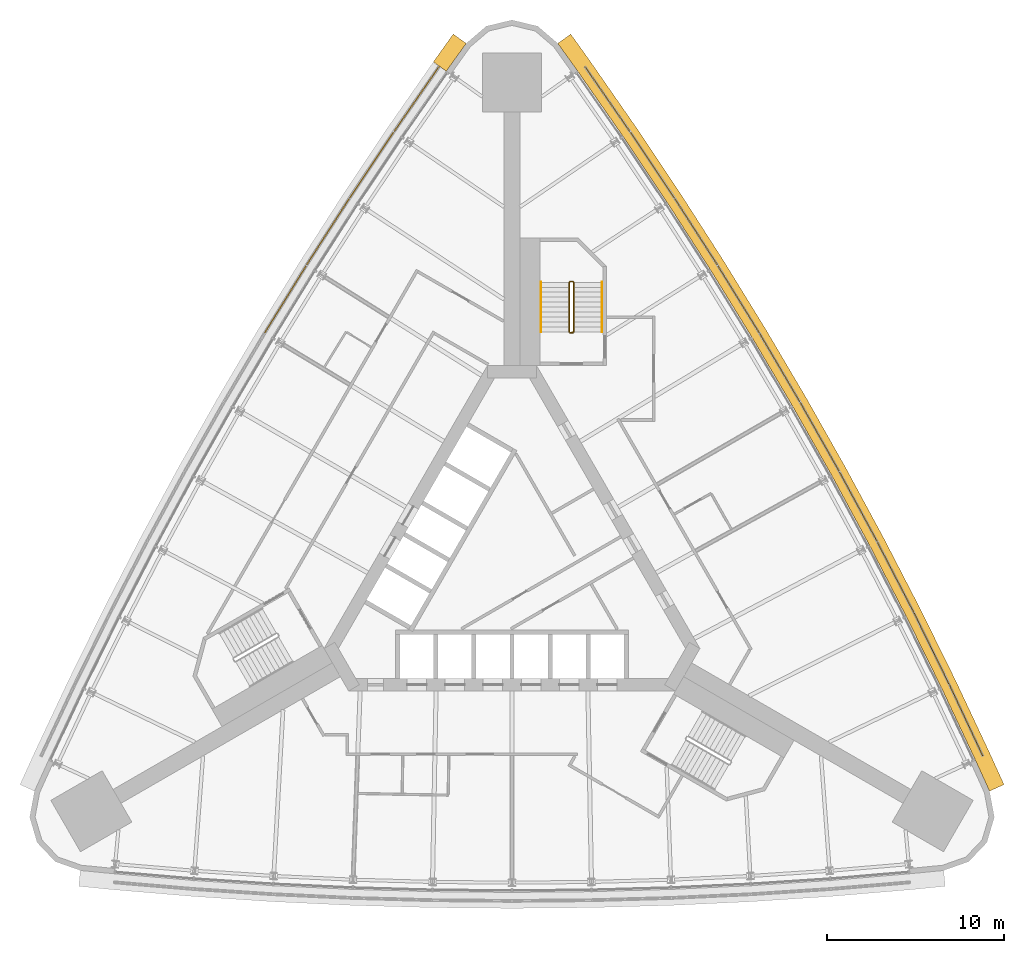
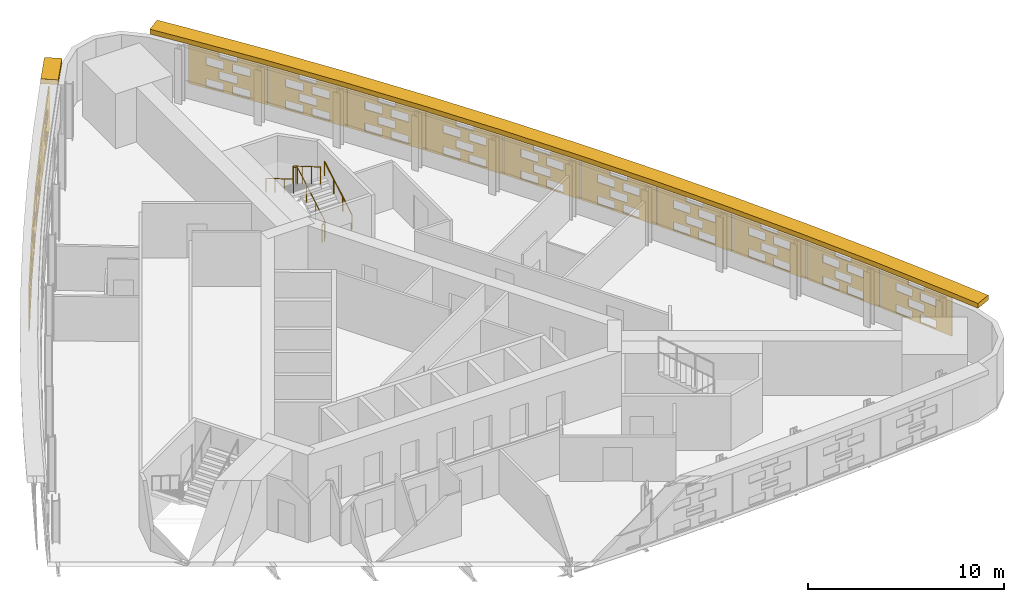
# One storey, part 14 of 14: 16 shading devices, 3 railings.
"""IFC4 building model written with IfcOpenShell, lengths in metres."""

import ifcopenshell
import ifcopenshell.guid

model = None  # the IFC model being written
_history = None  # IfcOwnerHistory: only IFC2X3 demands one
_inside = {}  # id of a spatial element -> (the spatial element, [elements in it])
_under = {}  # id of a project, library or spatial element -> (it, [spatial elements below it])
_declared = {}  # id of a project -> (the project, [libraries it declares])
_typed = {}  # id of a type object -> (the type object, [elements of that type])
_made_of = {}  # id of a material, layer set ... -> (it, [elements and type objects made of it])


def new_model(schema):
    """Start an empty IFC model of exactly this schema.

    Asked for "IFC4X3", IfcOpenShell would pick the latest addendum, in which some entities
    have other attributes; the version numbers below select the first issue.
    IFC2X3 requires an IfcOwnerHistory on every rooted entity: one is made here for all.
    """
    global model, _history
    if schema == "IFC4X3":
        model = ifcopenshell.file(schema_version=(4, 3, 0, 0))
    else:
        model = ifcopenshell.file(schema=schema)
    _inside.clear()
    _under.clear()
    _declared.clear()
    _typed.clear()
    _made_of.clear()
    _history = None
    if model.schema == "IFC2X3":
        org = make("IfcOrganization", Name="unknown")
        user = make(
            "IfcPersonAndOrganization",
            ThePerson=make("IfcPerson", FamilyName="unknown"),
            TheOrganization=org,
        )
        app = make(
            "IfcApplication",
            ApplicationDeveloper=org,
            Version="unknown",
            ApplicationFullName="unknown",
            ApplicationIdentifier="unknown",
        )
        _history = make(
            "IfcOwnerHistory",
            OwningUser=user,
            OwningApplication=app,
            ChangeAction="ADDED",
            CreationDate=0,
        )
    return model


def make(cls, **values):
    """One entity of the class cls with the attributes given. An attribute that is None is left unset."""
    return model.create_entity(
        cls, **{name: value for name, value in values.items() if value is not None}
    )


def rooted(cls, **values):
    """An entity with a GlobalId (a new one), such as an element, a storey or a relation."""
    return make(cls, GlobalId=ifcopenshell.guid.new(), OwnerHistory=_history, **values)


def si_unit(unit_type, name, prefix=None):
    """IfcSIUnit, for example si_unit("LENGTHUNIT", "METRE", prefix="MILLI")."""
    return make("IfcSIUnit", UnitType=unit_type, Prefix=prefix, Name=name)


def assignment(units):
    """IfcUnitAssignment: the units of a project."""
    return None if units is None else make("IfcUnitAssignment", Units=units)


def point(xyz):
    """IfcCartesianPoint."""
    return None if xyz is None else make("IfcCartesianPoint", Coordinates=xyz)


def direction(xyz):
    """IfcDirection."""
    return None if xyz is None else make("IfcDirection", DirectionRatios=xyz)


def frame(location, z_axis=None, x_axis=None):
    """IfcAxis2Placement3D, a coordinate frame: its origin and axes. An axis left out is left unset."""
    return make(
        "IfcAxis2Placement3D",
        Location=point(location),
        Axis=direction(z_axis),
        RefDirection=direction(x_axis),
    )


def frame_2d(location, x_axis=None):
    """IfcAxis2Placement2D, a coordinate frame in the plane: its origin and x axis."""
    return make(
        "IfcAxis2Placement2D", Location=point(location), RefDirection=direction(x_axis)
    )


def origin():
    """The frame at (0, 0, 0) with its axes left unset."""
    return frame((0.0, 0.0, 0.0))


def origin_2d():
    """The frame at (0, 0) in the plane with its x axis left unset."""
    return frame_2d((0.0, 0.0))


def place(relative_to, where):
    """IfcLocalPlacement: puts the frame where relative to a parent placement (None: the world)."""
    return make(
        "IfcLocalPlacement", PlacementRelTo=relative_to, RelativePlacement=where
    )


def context(
    kind, dimensions, precision=None, world=None, true_north=None, identifier=None
):
    """IfcGeometricRepresentationContext, for example the 3D "Model" context."""
    return make(
        "IfcGeometricRepresentationContext",
        ContextIdentifier=identifier,
        ContextType=kind,
        CoordinateSpaceDimension=dimensions,
        Precision=precision,
        WorldCoordinateSystem=world,
        TrueNorth=true_north,
    )


def subcontext(parent, identifier, kind, view, scale=None):
    """IfcGeometricRepresentationSubContext, for example "Body" below "Model"."""
    return make(
        "IfcGeometricRepresentationSubContext",
        ContextIdentifier=identifier,
        ContextType=kind,
        ParentContext=parent,
        TargetScale=scale,
        TargetView=view,
    )


def project(units=None, contexts=None):
    """IfcProject with its units and contexts."""
    return rooted(
        "IfcProject",
        Name="project",
        RepresentationContexts=contexts,
        UnitsInContext=assignment(units),
    )


def spatial(cls, under=None, at=None, **own):
    """A site, building, storey or space (cls), placed at a placement, below another one or the project."""
    s = rooted(cls, ObjectPlacement=at, **own)
    if under is not None:
        _under.setdefault(under.id(), (under, []))[1].append(s)
    return s


def polyline(points):
    """IfcPolyline through the points."""
    return make("IfcPolyline", Points=[point(p) for p in points])


def profile(cls, at=None, kind="AREA", **sizes):
    """A parametric profile (cls). Its sizes go by their IFC names, for example OverallWidth=200.0."""
    return make(cls, ProfileType=kind, Position=at, **sizes)


def circle(**sizes):
    """IfcCircleProfileDef."""
    return profile("IfcCircleProfileDef", **sizes)


def outline(outer, holes=None, kind="AREA"):
    """IfcArbitraryClosedProfileDef: a profile drawn as a closed curve; with holes, ...WithVoids."""
    if holes is None:
        return make("IfcArbitraryClosedProfileDef", ProfileType=kind, OuterCurve=outer)
    return make(
        "IfcArbitraryProfileDefWithVoids",
        ProfileType=kind,
        OuterCurve=outer,
        InnerCurves=holes,
    )


def extrude(swept, where, along, depth):
    """IfcExtrudedAreaSolid: the profile swept, set in the frame where, extruded along a direction by depth."""
    return make(
        "IfcExtrudedAreaSolid",
        SweptArea=swept,
        Position=where,
        ExtrudedDirection=direction(along),
        Depth=depth,
    )


def shape(context_of_items, identifier, shape_type, items):
    """IfcShapeRepresentation: the items that make up one representation, for example the "Body"."""
    return make(
        "IfcShapeRepresentation",
        ContextOfItems=context_of_items,
        RepresentationIdentifier=identifier,
        RepresentationType=shape_type,
        Items=items,
    )


def material(Name=None, Category=None):
    """IfcMaterial."""
    return make("IfcMaterial", Name=Name, Category=Category)


def material_profile(
    of_material, cross_section, Name=None, Category=None, Priority=None
):
    """IfcMaterialProfile: a cross section and its material."""
    return make(
        "IfcMaterialProfile",
        Name=Name,
        Material=of_material,
        Profile=cross_section,
        Priority=Priority,
        Category=Category,
    )


def profile_set(profiles, Name=None, composite=None):
    """IfcMaterialProfileSet."""
    return make(
        "IfcMaterialProfileSet",
        Name=Name,
        MaterialProfiles=profiles,
        CompositeProfile=composite,
    )


def made_of(thing, what):
    """Note that an element or type object is made of a material, layer set ...; save() writes the relation."""
    if what is not None:
        _made_of.setdefault(what.id(), (what, []))[1].append(thing)
    return thing


def type_object(cls, material=None, **own):
    """A type object (cls), such as IfcWallType, which elements share."""
    return made_of(rooted(cls, **own), material)


def element(
    cls,
    number,
    at=None,
    inside=None,
    cuts=None,
    type_object=None,
    material=None,
    context=None,
    identifier="Body",
    shape_type=None,
    held_by="IfcProductDefinitionShape",
    body=None,
    shapes=None,
    **own,
):
    """One element of the class cls, such as IfcWall. Its Tag is "e" and its number.

    at: its placement. inside: the storey or other place that contains it. cuts: it is an
    opening in that element (IfcRelVoidsElement). A single representation is given by context,
    identifier, shape_type and body (its items); several are given by shapes. held_by: the class
    of the entity that holds the representations. save() writes the other relations.
    """
    e = rooted(cls, Tag="e%d" % number, ObjectPlacement=at, **own)
    if body is not None:
        shapes = [shape(context, identifier, shape_type, body)]
    if shapes is not None:
        e.Representation = make(held_by, Representations=shapes)
    if inside is not None:
        _inside.setdefault(inside.id(), (inside, []))[1].append(e)
    if cuts is not None:
        rooted(
            "IfcRelVoidsElement", RelatingBuildingElement=cuts, RelatedOpeningElement=e
        )
    if type_object is not None:
        _typed.setdefault(type_object.id(), (type_object, []))[1].append(e)
    return made_of(e, material)


def aggregate(whole, parts):
    """IfcRelAggregates: a whole, such as a stair, and the parts it consists of."""
    return rooted("IfcRelAggregates", RelatingObject=whole, RelatedObjects=parts)


def save(model, path):
    """Write the relations noted so far, then the file.

    IfcRelAggregates (storeys below a building ...), IfcRelContainedInSpatialStructure (elements
    in a storey), IfcRelDefinesByType, IfcRelAssociatesMaterial and IfcRelDeclares: one each for
    every whole, place, type object, material and project.
    """
    for whole, parts in _under.values():
        aggregate(whole, parts)
    for where, things in _inside.values():
        rooted(
            "IfcRelContainedInSpatialStructure",
            RelatedElements=things,
            RelatingStructure=where,
        )
    for kind, things in _typed.values():
        rooted("IfcRelDefinesByType", RelatedObjects=things, RelatingType=kind)
    for what, things in _made_of.values():
        rooted("IfcRelAssociatesMaterial", RelatedObjects=things, RelatingMaterial=what)
    for by, libraries in _declared.values():
        rooted("IfcRelDeclares", RelatingContext=by, RelatedDefinitions=libraries)
    model.write(path)


model = new_model("IFC4")

# Units and contexts
model_context = context("Model", 3, precision=1e-05, world=origin(), true_north=direction((0.0, 1.0)))
body_context = subcontext(model_context, "Body", "Model", "MODEL_VIEW")
ifc_project = project(units=[si_unit("LENGTHUNIT", "METRE"), si_unit("AREAUNIT", "SQUARE_METRE"), si_unit("VOLUMEUNIT", "CUBIC_METRE"), si_unit("PLANEANGLEUNIT", "RADIAN"), si_unit("MASSUNIT", "GRAM", prefix="KILO")], contexts=[model_context])

# Site, building, storey
site_placement = place(None, origin())
site = spatial("IfcSite", under=ifc_project, at=site_placement, CompositionType="ELEMENT")
building_placement = place(site_placement, origin())
building = spatial("IfcBuilding", under=site, at=building_placement, Name="Noor Cloister Tower", CompositionType="ELEMENT")
storey_placement = place(building_placement, frame((0.0, 0.0, 38.39990234375)))
storey = spatial("IfcBuildingStorey", under=building, at=storey_placement, Name="L09", CompositionType="ELEMENT", Elevation=38.39990234375)

# Shading devices
ifc_material_1 = material(Name="Limestone", Category="masonry")
ifc_material_profile = material_profile(ifc_material_1, outline(polyline([(-2.22998046875, -1.35009765625), (2.22998046875, -1.35009765625), (2.22998046875, 1.35009765625), (-2.22998046875, 1.35009765625), (-2.22998046875, -1.35009765625)]), holes=[polyline([(-1.25, -1.263427734375), (-0.25, -1.263427734375), (-0.25, -0.76171875), (-1.25, -0.76171875), (-1.25, -1.263427734375)]), polyline([(0.25, -1.263427734375), (1.25, -1.263427734375), (1.25, -0.76171875), (0.25, -0.76171875), (0.25, -1.263427734375)]), polyline([(-0.5, -0.58837890625), (0.5, -0.58837890625), (0.5, -0.086669921875), (-0.5, -0.086669921875), (-0.5, -0.58837890625)]), polyline([(-1.25, 0.086669921875), (-0.25, 0.086669921875), (-0.25, 0.58837890625), (-1.25, 0.58837890625), (-1.25, 0.086669921875)]), polyline([(0.25, 0.086669921875), (1.25, 0.086669921875), (1.25, 0.58837890625), (0.25, 0.58837890625), (0.25, 0.086669921875)]), polyline([(-0.5, 0.76171875), (0.5, 0.76171875), (0.5, 1.263427734375), (-0.5, 1.263427734375), (-0.5, 0.76171875)])]), Name="Woven screen 25 percent open")
ifc_profile_set = profile_set([ifc_material_profile], Name="Limestone")
shading_device_type_1 = type_object("IfcShadingDeviceType", Name="SCREEN woven limestone 25 percent open", PredefinedType="USERDEFINED", material=ifc_profile_set)
shading_device_1_placement = place(storey_placement, frame((-5.36328125, 26.494384765625, 1.85009765625), z_axis=(-0.821899128607, 0.56963305943, 0.0), x_axis=(-0.56963305943, -0.821899128607, 0.0)))
element("IfcShadingDevice", 1, at=shading_device_1_placement, inside=storey, type_object=shading_device_type_1, Name="SCREEN L09 1", ObjectType="SCREEN", PredefinedType="USERDEFINED", context=body_context, shape_type="SweptSolid", body=[
    extrude(outline(polyline([(-2.22998046875, -1.35009765625), (2.22998046875, -1.35009765625), (2.22998046875, 1.35009765625), (-2.22998046875, 1.35009765625), (-2.22998046875, -1.35009765625)]), holes=[polyline([(-1.25, -1.263427734375), (-0.25, -1.263427734375), (-0.25, -0.76171875), (-1.25, -0.76171875), (-1.25, -1.263427734375)]), polyline([(0.25, -1.263427734375), (1.25, -1.263427734375), (1.25, -0.76171875), (0.25, -0.76171875), (0.25, -1.263427734375)]), polyline([(-0.5, -0.58837890625), (0.5, -0.58837890625), (0.5, -0.086669921875), (-0.5, -0.086669921875), (-0.5, -0.58837890625)]), polyline([(-1.25, 0.086669921875), (-0.25, 0.086669921875), (-0.25, 0.58837890625), (-1.25, 0.58837890625), (-1.25, 0.086669921875)]), polyline([(0.25, 0.086669921875), (1.25, 0.086669921875), (1.25, 0.58837890625), (0.25, 0.58837890625), (0.25, 0.086669921875)]), polyline([(-0.5, 0.76171875), (0.5, 0.76171875), (0.5, 1.263427734375), (-0.5, 1.263427734375), (-0.5, 0.76171875)])]), origin(), (0.0, 0.0, 1.0), 0.06005859375),
])
shading_device_2_placement = place(storey_placement, frame((-7.9033203125, 22.769775390625, 1.85009765625), z_axis=(-0.832050294338, 0.554700196225, 0.0), x_axis=(-0.554700196225, -0.832050294338, 0.0)))
element("IfcShadingDevice", 2, at=shading_device_2_placement, inside=storey, type_object=shading_device_type_1, Name="SCREEN L09 2", ObjectType="SCREEN", PredefinedType="USERDEFINED", context=body_context, shape_type="SweptSolid", body=[
    extrude(outline(polyline([(-2.22998046875, -1.35009765625), (2.22998046875, -1.35009765625), (2.22998046875, 1.35009765625), (-2.22998046875, 1.35009765625), (-2.22998046875, -1.35009765625)]), holes=[polyline([(-1.25, -1.263427734375), (-0.25, -1.263427734375), (-0.25, -0.76171875), (-1.25, -0.76171875), (-1.25, -1.263427734375)]), polyline([(0.25, -1.263427734375), (1.25, -1.263427734375), (1.25, -0.76171875), (0.25, -0.76171875), (0.25, -1.263427734375)]), polyline([(-0.5, -0.58837890625), (0.5, -0.58837890625), (0.5, -0.086669921875), (-0.5, -0.086669921875), (-0.5, -0.58837890625)]), polyline([(-1.25, 0.086669921875), (-0.25, 0.086669921875), (-0.25, 0.58837890625), (-1.25, 0.58837890625), (-1.25, 0.086669921875)]), polyline([(0.25, 0.086669921875), (1.25, 0.086669921875), (1.25, 0.58837890625), (0.25, 0.58837890625), (0.25, 0.086669921875)]), polyline([(-0.5, 0.76171875), (0.5, 0.76171875), (0.5, 1.263427734375), (-0.5, 1.263427734375), (-0.5, 0.76171875)])]), origin(), (0.0, 0.0, 1.0), 0.059814453125),
])
for number, where, z_axis, x_axis, name in (
    (3, (-10.373046875, 18.998291015625, 1.85009765625), (-0.841310503427, 0.540552159207, 0.0), (-0.540552159207, -0.841310503427, 0.0), "SCREEN L09 3"),
    (4, (-12.771728515625, 15.18115234375, 1.85009765625), (-0.850958576931, 0.525232805857, 0.0), (-0.525232805857, -0.850958576931, 0.0), "SCREEN L09 4"),
):
    element("IfcShadingDevice", number, at=place(storey_placement, frame(where, z_axis=z_axis, x_axis=x_axis)), inside=storey, type_object=shading_device_type_1, Name=name, ObjectType="SCREEN", PredefinedType="USERDEFINED", context=body_context, shape_type="SweptSolid", body=[
        extrude(outline(polyline([(-2.22998046875, -1.35009765625), (2.22998046875, -1.35009765625), (2.22998046875, 1.35009765625), (-2.22998046875, 1.35009765625), (-2.22998046875, -1.35009765625)]), holes=[polyline([(-1.25, -1.263427734375), (-0.25, -1.263427734375), (-0.25, -0.76171875), (-1.25, -0.76171875), (-1.25, -1.263427734375)]), polyline([(0.25, -1.263427734375), (1.25, -1.263427734375), (1.25, -0.76171875), (0.25, -0.76171875), (0.25, -1.263427734375)]), polyline([(-0.5, -0.58837890625), (0.5, -0.58837890625), (0.5, -0.086669921875), (-0.5, -0.086669921875), (-0.5, -0.58837890625)]), polyline([(-1.25, 0.086669921875), (-0.25, 0.086669921875), (-0.25, 0.58837890625), (-1.25, 0.58837890625), (-1.25, 0.086669921875)]), polyline([(0.25, 0.086669921875), (1.25, 0.086669921875), (1.25, 0.58837890625), (0.25, 0.58837890625), (0.25, 0.086669921875)]), polyline([(-0.5, 0.76171875), (0.5, 0.76171875), (0.5, 1.263427734375), (-0.5, 1.263427734375), (-0.5, 0.76171875)])]), origin(), (0.0, 0.0, 1.0), 0.06005859375),
    ])
for number, where, z_axis, x_axis, name in (
    (5, (25.62646484375, -8.602294921875, 1.85009765625), (0.905556888257, 0.424224848553, 0.0), (-0.424224848553, 0.905556888257, 0.0), "SCREEN L09 1"),
    (6, (23.6708984375, -4.540283203125, 1.85009765625), (0.897667610562, 0.440673190639, 0.0), (-0.440673190639, 0.897667610562, 0.0), "SCREEN L09 2"),
):
    element("IfcShadingDevice", number, at=place(storey_placement, frame(where, z_axis=z_axis, x_axis=x_axis)), inside=storey, type_object=shading_device_type_1, Name=name, ObjectType="SCREEN", PredefinedType="USERDEFINED", context=body_context, shape_type="SweptSolid", body=[
        extrude(outline(polyline([(-2.22998046875, -1.35009765625), (2.22998046875, -1.35009765625), (2.22998046875, 1.35009765625), (-2.22998046875, 1.35009765625), (-2.22998046875, -1.35009765625)]), holes=[polyline([(-1.25, -1.263427734375), (-0.25, -1.263427734375), (-0.25, -0.76171875), (-1.25, -0.76171875), (-1.25, -1.263427734375)]), polyline([(0.25, -1.263427734375), (1.25, -1.263427734375), (1.25, -0.76171875), (0.25, -0.76171875), (0.25, -1.263427734375)]), polyline([(-0.5, -0.58837890625), (0.5, -0.58837890625), (0.5, -0.086669921875), (-0.5, -0.086669921875), (-0.5, -0.58837890625)]), polyline([(-1.25, 0.086669921875), (-0.25, 0.086669921875), (-0.25, 0.58837890625), (-1.25, 0.58837890625), (-1.25, 0.086669921875)]), polyline([(0.25, 0.086669921875), (1.25, 0.086669921875), (1.25, 0.58837890625), (0.25, 0.58837890625), (0.25, 0.086669921875)]), polyline([(-0.5, 0.76171875), (0.5, 0.76171875), (0.5, 1.263427734375), (-0.5, 1.263427734375), (-0.5, 0.76171875)])]), origin(), (0.0, 0.0, 1.0), 0.059814453125),
    ])
for number, where, z_axis, x_axis, name in (
    (7, (21.6396484375, -0.515869140625, 1.85009765625), (0.887816162103, 0.460198285861, 0.0), (-0.460198285861, 0.887816162103, 0.0), "SCREEN L09 3"),
    (8, (19.533203125, 3.469970703125, 1.85009765625), (0.879291966537, 0.476283148541, 0.0), (-0.476283148541, 0.879291966537, 0.0), "SCREEN L09 4"),
    (9, (17.3525390625, 7.415771484375, 1.85009765625), (0.87048706901, 0.492191286683, 0.0), (-0.492191286683, 0.87048706901, 0.0), "SCREEN L09 5"),
):
    element("IfcShadingDevice", number, at=place(storey_placement, frame(where, z_axis=z_axis, x_axis=x_axis)), inside=storey, type_object=shading_device_type_1, Name=name, ObjectType="SCREEN", PredefinedType="USERDEFINED", context=body_context, shape_type="SweptSolid", body=[
        extrude(outline(polyline([(-2.22998046875, -1.35009765625), (2.22998046875, -1.35009765625), (2.22998046875, 1.35009765625), (-2.22998046875, 1.35009765625), (-2.22998046875, -1.35009765625)]), holes=[polyline([(-1.25, -1.263427734375), (-0.25, -1.263427734375), (-0.25, -0.76171875), (-1.25, -0.76171875), (-1.25, -1.263427734375)]), polyline([(0.25, -1.263427734375), (1.25, -1.263427734375), (1.25, -0.76171875), (0.25, -0.76171875), (0.25, -1.263427734375)]), polyline([(-0.5, -0.58837890625), (0.5, -0.58837890625), (0.5, -0.086669921875), (-0.5, -0.086669921875), (-0.5, -0.58837890625)]), polyline([(-1.25, 0.086669921875), (-0.25, 0.086669921875), (-0.25, 0.58837890625), (-1.25, 0.58837890625), (-1.25, 0.086669921875)]), polyline([(0.25, 0.086669921875), (1.25, 0.086669921875), (1.25, 0.58837890625), (0.25, 0.58837890625), (0.25, 0.086669921875)]), polyline([(-0.5, 0.76171875), (0.5, 0.76171875), (0.5, 1.263427734375), (-0.5, 1.263427734375), (-0.5, 0.76171875)])]), origin(), (0.0, 0.0, 1.0), 0.06005859375),
    ])
shading_device_3_placement = place(storey_placement, frame((15.0986328125, 11.320068359375, 1.85009765625), z_axis=(0.862144217858, 0.506662952675, 0.0), x_axis=(-0.506662952675, 0.862144217858, 0.0)))
element("IfcShadingDevice", 10, at=shading_device_3_placement, inside=storey, type_object=shading_device_type_1, Name="SCREEN L09 6", ObjectType="SCREEN", PredefinedType="USERDEFINED", context=body_context, shape_type="SweptSolid", body=[
    extrude(outline(polyline([(-2.22998046875, -1.35009765625), (2.22998046875, -1.35009765625), (2.22998046875, 1.35009765625), (-2.22998046875, 1.35009765625), (-2.22998046875, -1.35009765625)]), holes=[polyline([(-1.25, -1.263427734375), (-0.25, -1.263427734375), (-0.25, -0.76171875), (-1.25, -0.76171875), (-1.25, -1.263427734375)]), polyline([(0.25, -1.263427734375), (1.25, -1.263427734375), (1.25, -0.76171875), (0.25, -0.76171875), (0.25, -1.263427734375)]), polyline([(-0.5, -0.58837890625), (0.5, -0.58837890625), (0.5, -0.086669921875), (-0.5, -0.086669921875), (-0.5, -0.58837890625)]), polyline([(-1.25, 0.086669921875), (-0.25, 0.086669921875), (-0.25, 0.58837890625), (-1.25, 0.58837890625), (-1.25, 0.086669921875)]), polyline([(0.25, 0.086669921875), (1.25, 0.086669921875), (1.25, 0.58837890625), (0.25, 0.58837890625), (0.25, 0.086669921875)]), polyline([(-0.5, 0.76171875), (0.5, 0.76171875), (0.5, 1.263427734375), (-0.5, 1.263427734375), (-0.5, 0.76171875)])]), origin(), (0.0, 0.0, 1.0), 0.059814453125),
])
for number, where, z_axis, x_axis, name in (
    (11, (12.771728515625, 15.18115234375, 1.85009765625), (0.850958576931, 0.525232805857, 0.0), (-0.525232805857, 0.850958576931, 0.0), "SCREEN L09 7"),
    (12, (10.373046875, 18.998291015625, 1.85009765625), (0.841310503427, 0.540552159207, 0.0), (-0.540552159207, 0.841310503427, 0.0), "SCREEN L09 8"),
):
    element("IfcShadingDevice", number, at=place(storey_placement, frame(where, z_axis=z_axis, x_axis=x_axis)), inside=storey, type_object=shading_device_type_1, Name=name, ObjectType="SCREEN", PredefinedType="USERDEFINED", context=body_context, shape_type="SweptSolid", body=[
        extrude(outline(polyline([(-2.22998046875, -1.35009765625), (2.22998046875, -1.35009765625), (2.22998046875, 1.35009765625), (-2.22998046875, 1.35009765625), (-2.22998046875, -1.35009765625)]), holes=[polyline([(-1.25, -1.263427734375), (-0.25, -1.263427734375), (-0.25, -0.76171875), (-1.25, -0.76171875), (-1.25, -1.263427734375)]), polyline([(0.25, -1.263427734375), (1.25, -1.263427734375), (1.25, -0.76171875), (0.25, -0.76171875), (0.25, -1.263427734375)]), polyline([(-0.5, -0.58837890625), (0.5, -0.58837890625), (0.5, -0.086669921875), (-0.5, -0.086669921875), (-0.5, -0.58837890625)]), polyline([(-1.25, 0.086669921875), (-0.25, 0.086669921875), (-0.25, 0.58837890625), (-1.25, 0.58837890625), (-1.25, 0.086669921875)]), polyline([(0.25, 0.086669921875), (1.25, 0.086669921875), (1.25, 0.58837890625), (0.25, 0.58837890625), (0.25, 0.086669921875)]), polyline([(-0.5, 0.76171875), (0.5, 0.76171875), (0.5, 1.263427734375), (-0.5, 1.263427734375), (-0.5, 0.76171875)])]), origin(), (0.0, 0.0, 1.0), 0.06005859375),
    ])
shading_device_4_placement = place(storey_placement, frame((7.9033203125, 22.769775390625, 1.85009765625), z_axis=(0.832050294338, 0.554700196225, 0.0), x_axis=(-0.554700196225, 0.832050294338, 0.0)))
element("IfcShadingDevice", 13, at=shading_device_4_placement, inside=storey, type_object=shading_device_type_1, Name="SCREEN L09 9", ObjectType="SCREEN", PredefinedType="USERDEFINED", context=body_context, shape_type="SweptSolid", body=[
    extrude(outline(polyline([(-2.22998046875, -1.35009765625), (2.22998046875, -1.35009765625), (2.22998046875, 1.35009765625), (-2.22998046875, 1.35009765625), (-2.22998046875, -1.35009765625)]), holes=[polyline([(-1.25, -1.263427734375), (-0.25, -1.263427734375), (-0.25, -0.76171875), (-1.25, -0.76171875), (-1.25, -1.263427734375)]), polyline([(0.25, -1.263427734375), (1.25, -1.263427734375), (1.25, -0.76171875), (0.25, -0.76171875), (0.25, -1.263427734375)]), polyline([(-0.5, -0.58837890625), (0.5, -0.58837890625), (0.5, -0.086669921875), (-0.5, -0.086669921875), (-0.5, -0.58837890625)]), polyline([(-1.25, 0.086669921875), (-0.25, 0.086669921875), (-0.25, 0.58837890625), (-1.25, 0.58837890625), (-1.25, 0.086669921875)]), polyline([(0.25, 0.086669921875), (1.25, 0.086669921875), (1.25, 0.58837890625), (0.25, 0.58837890625), (0.25, 0.086669921875)]), polyline([(-0.5, 0.76171875), (0.5, 0.76171875), (0.5, 1.263427734375), (-0.5, 1.263427734375), (-0.5, 0.76171875)])]), origin(), (0.0, 0.0, 1.0), 0.059814453125),
])
shading_device_5_placement = place(storey_placement, frame((5.36328125, 26.494384765625, 1.85009765625), z_axis=(0.821899128607, 0.56963305943, 0.0), x_axis=(-0.56963305943, 0.821899128607, 0.0)))
element("IfcShadingDevice", 14, at=shading_device_5_placement, inside=storey, type_object=shading_device_type_1, Name="SCREEN L09 10", ObjectType="SCREEN", PredefinedType="USERDEFINED", context=body_context, shape_type="SweptSolid", body=[
    extrude(outline(polyline([(-2.22998046875, -1.35009765625), (2.22998046875, -1.35009765625), (2.22998046875, 1.35009765625), (-2.22998046875, 1.35009765625), (-2.22998046875, -1.35009765625)]), holes=[polyline([(-1.25, -1.263427734375), (-0.25, -1.263427734375), (-0.25, -0.76171875), (-1.25, -0.76171875), (-1.25, -1.263427734375)]), polyline([(0.25, -1.263427734375), (1.25, -1.263427734375), (1.25, -0.76171875), (0.25, -0.76171875), (0.25, -1.263427734375)]), polyline([(-0.5, -0.58837890625), (0.5, -0.58837890625), (0.5, -0.086669921875), (-0.5, -0.086669921875), (-0.5, -0.58837890625)]), polyline([(-1.25, 0.086669921875), (-0.25, 0.086669921875), (-0.25, 0.58837890625), (-1.25, 0.58837890625), (-1.25, 0.086669921875)]), polyline([(0.25, 0.086669921875), (1.25, 0.086669921875), (1.25, 0.58837890625), (0.25, 0.58837890625), (0.25, 0.086669921875)]), polyline([(-0.5, 0.76171875), (0.5, 0.76171875), (0.5, 1.263427734375), (-0.5, 1.263427734375), (-0.5, 0.76171875)])]), origin(), (0.0, 0.0, 1.0), 0.06005859375),
])
ifc_material_2 = material(Name="Limestone", Category="masonry")
shading_device_type_2 = type_object("IfcShadingDeviceType", Name="SUNSHADE limestone band 900", PredefinedType="USERDEFINED", material=ifc_material_2)
shading_device_6_placement = place(storey_placement, frame((0.0, 0.0, 3.300048828125)))
element("IfcShadingDevice", 15, at=shading_device_6_placement, inside=storey, type_object=shading_device_type_2, Name="SUNSHADE L09 3", ObjectType="SUNSHADE", PredefinedType="USERDEFINED", context=body_context, shape_type="SweptSolid", body=[
    extrude(outline(polyline([(27.79248046875, -12.21435546875), (26.9931640625, -10.45263671875), (25.072998046875, -6.366943359375), (23.07568359375, -2.31591796875), (21.0029296875, 1.697265625), (18.855224609375, 5.6708984375), (16.633544921875, 9.603515625), (14.338623046875, 13.49365234375), (11.971435546875, 17.34033203125), (9.5322265625, 21.14208984375), (7.0224609375, 24.8974609375), (4.4443359375, 28.60302734375), (3.318359375, 30.17626953125), (2.58642578125, 29.65234375), (3.708984375, 28.084228515625), (6.279052734375, 24.390380859375), (8.779296875, 20.64892578125), (11.209228515625, 16.861572265625), (13.56787109375, 13.029296875), (15.854248046875, 9.1533203125), (18.067626953125, 5.2353515625), (20.207275390625, 1.27685546875), (22.272216796875, -2.721435546875), (24.26220703125, -6.75732421875), (26.176025390625, -10.830078125), (26.972900390625, -12.586181640625), (27.79248046875, -12.21435546875)])), origin(), (0.0, 0.0, 1.0), 0.300048828125),
])
shading_device_7_placement = place(storey_placement, frame((0.0, 0.0, 3.300048828125)))
element("IfcShadingDevice", 16, at=shading_device_7_placement, inside=storey, type_object=shading_device_type_2, Name="SUNSHADE L09 4", ObjectType="SUNSHADE", PredefinedType="USERDEFINED", context=body_context, shape_type="SweptSolid", body=[
    extrude(outline(polyline([(-3.318359375, 30.17626953125), (-4.44091796875, 28.608154296875), (-3.708984375, 28.084228515625), (-2.58642578125, 29.65234375), (-3.318359375, 30.17626953125)])), origin(), (0.0, 0.0, 1.0), 0.300048828125),
])

# Railings
ifc_material_3 = material(Name="Stainless steel", Category="steel")
railing_type_1 = type_object("IfcRailingType", Name="Stair guard 1100", PredefinedType="GUARDRAIL", material=ifc_material_3)
railing_1_placement = place(storey_placement, frame((3.435546875, 13.306396484375, 0.0)))
element("IfcRailing", 17, at=railing_1_placement, inside=storey, type_object=railing_type_1, Name="Stair guard ST1 L09", PredefinedType="GUARDRAIL", context=body_context, shape_type="SweptSolid", body=[
    extrude(circle(Radius=0.02392578125, at=origin_2d()), frame((0.0, 0.0, 1.076171875), z_axis=(-1.0, 0.0, 0.0), x_axis=(0.0, -1.0, 0.0)), (0.0, 0.0, 1.0), 0.14990234375),
    extrude(circle(Radius=0.02392578125, at=origin_2d()), frame((-0.14990234375, 0.0, 1.076171875), z_axis=(0.759432192796, 0.190089865108, 0.622196582865), x_axis=(-0.242814311512, 0.970072785993, 0.0)), (0.0, 0.0, 1.0), 0.26318359375),
    extrude(circle(Radius=0.02392578125, at=origin_2d()), frame((0.050048828125, 0.050048828125, 1.23974609375), z_axis=(0.0, 0.863393664356, 0.504530851732), x_axis=(-1.0, 0.0, 0.0)), (0.0, 0.0, 1.0), 3.2431640625),
    extrude(circle(Radius=0.02392578125, at=origin_2d()), frame((0.050048828125, 2.85009765625, 2.8759765625), z_axis=(-0.708833529934, 0.705375805398, 0.0), x_axis=(-0.705375805398, -0.708833529934, 0.0)), (0.0, 0.0, 1.0), 0.070556640625),
    extrude(circle(Radius=0.02392578125, at=origin_2d()), frame((0.0, 2.89990234375, 2.8759765625), z_axis=(-1.0, 0.0, 0.0), x_axis=(0.0, -1.0, 0.0)), (0.0, 0.0, 1.0), 0.14990234375),
    extrude(circle(Radius=0.02392578125, at=origin_2d()), frame((-0.14990234375, 2.89990234375, 2.8759765625), z_axis=(-0.280916556609, -0.279546231943, 0.91811752648), x_axis=(0.705375805398, -0.708833529934, 0.0)), (0.0, 0.0, 1.0), 0.17822265625),
    extrude(circle(Radius=0.02392578125, at=origin_2d()), frame((-0.199951171875, 2.85009765625, 3.03955078125), z_axis=(0.0, -0.863360870873, 0.504586966384), x_axis=(1.0, 0.0, 0.0)), (0.0, 0.0, 1.0), 3.2431640625),
    extrude(circle(Radius=0.02099609375, at=origin_2d()), origin(), (0.0, 0.0, 1.0), 1.052001953125),
    extrude(circle(Radius=0.02099609375, at=origin_2d()), frame((-0.14990234375, 0.0, 0.0)), (0.0, 0.0, 1.0), 1.052001953125),
    extrude(circle(Radius=0.02099609375, at=origin_2d()), frame((0.050048828125, 0.050048828125, 0.163818359375)), (0.0, 0.0, 1.0), 1.052001953125),
    extrude(circle(Radius=0.02099609375, at=origin_2d()), frame((0.050048828125, 0.9833984375, 0.709228515625)), (0.0, 0.0, 1.0), 1.052001953125),
    extrude(circle(Radius=0.02099609375, at=origin_2d()), frame((0.050048828125, 1.916748046875, 1.254638671875)), (0.0, 0.0, 1.0), 1.052001953125),
    extrude(circle(Radius=0.02099609375, at=origin_2d()), frame((0.050048828125, 2.85009765625, 1.800048828125)), (0.0, 0.0, 1.0), 1.052001953125),
    extrude(circle(Radius=0.02099609375, at=origin_2d()), frame((0.0, 2.89990234375, 1.800048828125)), (0.0, 0.0, 1.0), 1.052001953125),
    extrude(circle(Radius=0.02099609375, at=origin_2d()), frame((-0.14990234375, 2.89990234375, 1.800048828125)), (0.0, 0.0, 1.0), 1.052001953125),
    extrude(circle(Radius=0.02099609375, at=origin_2d()), frame((-0.199951171875, 2.85009765625, 1.963623046875)), (0.0, 0.0, 1.0), 1.052001953125),
    extrude(circle(Radius=0.02099609375, at=origin_2d()), frame((-0.199951171875, 1.916748046875, 2.509033203125)), (0.0, 0.0, 1.0), 1.052001953125),
    extrude(circle(Radius=0.02099609375, at=origin_2d()), frame((-0.199951171875, 0.9833984375, 3.0546875)), (0.0, 0.0, 1.0), 1.052001953125),
    extrude(circle(Radius=0.02099609375, at=origin_2d()), frame((-0.199951171875, 0.050048828125, 3.60009765625)), (0.0, 0.0, 1.0), 1.052001953125),
])
ifc_material_4 = material(Name="Stainless steel", Category="steel")
railing_type_2 = type_object("IfcRailingType", Name="Stair handrail 900", PredefinedType="HANDRAIL", material=ifc_material_4)
railing_2_placement = place(storey_placement, frame((5.085693359375, 13.3564453125, 0.163818359375)))
element("IfcRailing", 18, at=railing_2_placement, inside=storey, type_object=railing_type_2, Name="Stair handrail ST1 L09 1", PredefinedType="HANDRAIL", context=body_context, shape_type="SweptSolid", body=[
    extrude(circle(Radius=0.02392578125, at=origin_2d()), frame((0.0, 0.0, 0.8759765625), z_axis=(0.0, 0.863393664356, 0.504530851732), x_axis=(-1.0, 0.0, 0.0)), (0.0, 0.0, 1.0), 3.2431640625),
    extrude(circle(Radius=0.02099609375, at=origin_2d()), origin(), (0.0, 0.0, 1.0), 0.851806640625),
    extrude(circle(Radius=0.02099609375, at=origin_2d()), frame((0.0, 0.933349609375, 0.54541015625)), (0.0, 0.0, 1.0), 0.851806640625),
    extrude(circle(Radius=0.02099609375, at=origin_2d()), frame((0.0, 1.86669921875, 1.0908203125)), (0.0, 0.0, 1.0), 0.851806640625),
    extrude(circle(Radius=0.02099609375, at=origin_2d()), frame((0.0, 2.800048828125, 1.63623046875)), (0.0, 0.0, 1.0), 0.851806640625),
])
railing_3_placement = place(storey_placement, frame((1.6357421875, 16.156494140625, 1.963623046875)))
element("IfcRailing", 19, at=railing_3_placement, inside=storey, type_object=railing_type_2, Name="Stair handrail ST1 L09 2", PredefinedType="HANDRAIL", context=body_context, shape_type="SweptSolid", body=[
    extrude(circle(Radius=0.02392578125, at=origin_2d()), frame((0.0, 0.0, 0.8759765625), z_axis=(0.0, -0.863360870873, 0.504586966384), x_axis=(1.0, 0.0, 0.0)), (0.0, 0.0, 1.0), 3.2431640625),
    extrude(circle(Radius=0.02099609375, at=origin_2d()), origin(), (0.0, 0.0, 1.0), 0.851806640625),
    extrude(circle(Radius=0.02099609375, at=origin_2d()), frame((0.0, -0.933349609375, 0.54541015625)), (0.0, 0.0, 1.0), 0.851806640625),
    extrude(circle(Radius=0.02099609375, at=origin_2d()), frame((0.0, -1.86669921875, 1.091064453125)), (0.0, 0.0, 1.0), 0.851806640625),
    extrude(circle(Radius=0.02099609375, at=origin_2d()), frame((0.0, -2.800048828125, 1.636474609375)), (0.0, 0.0, 1.0), 0.851806640625),
])

save(model, "model.ifc")
